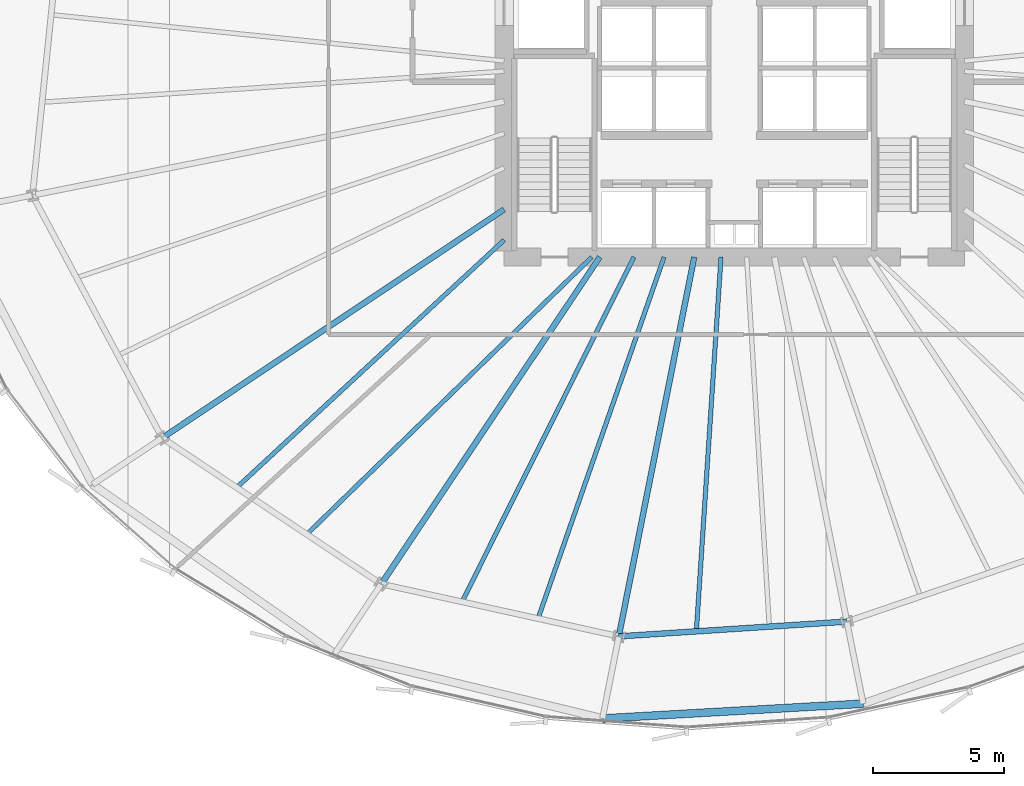
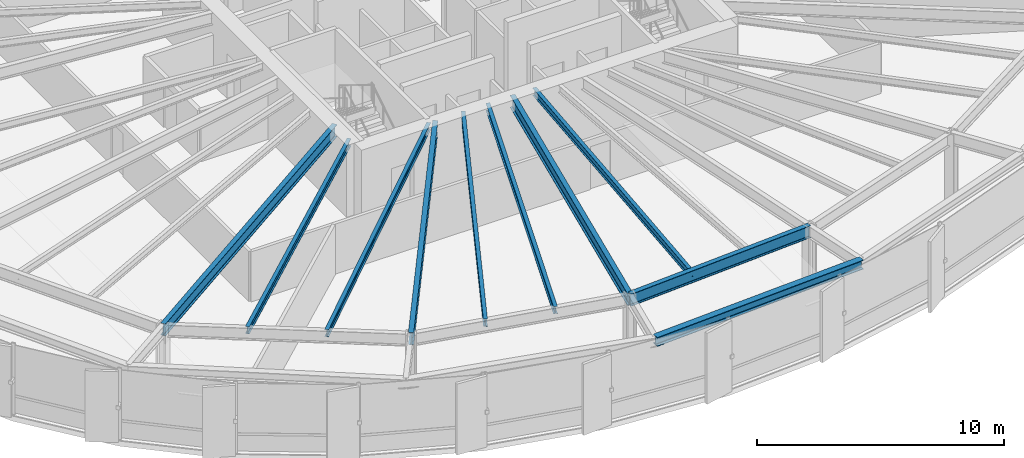
# One storey, part 6 of 38: 10 beams.
"""IFC4 building model written with IfcOpenShell, lengths in metres."""

from ifc_helpers import new_model, si_unit, direction, frame, origin, origin_2d, place, context, subcontext, project, spatial, i_section, extrude, source, transform, mapped, material, material_profile, profile_set, type_object, element, save


model = new_model("IFC4")

# Units and contexts
model_context = context("Model", 3, precision=1e-05, world=origin(), true_north=direction((0.0, 1.0)))
body_context = subcontext(model_context, "Body", "Model", "MODEL_VIEW")
ifc_project = project(units=[si_unit("LENGTHUNIT", "METRE"), si_unit("AREAUNIT", "SQUARE_METRE"), si_unit("VOLUMEUNIT", "CUBIC_METRE"), si_unit("PLANEANGLEUNIT", "RADIAN"), si_unit("MASSUNIT", "GRAM", prefix="KILO"), si_unit("THERMODYNAMICTEMPERATUREUNIT", "KELVIN")], contexts=[model_context])

# Site, building, storey
site_placement = place(None, origin())
site = spatial("IfcSite", under=ifc_project, at=site_placement, CompositionType="ELEMENT")
building_placement = place(site_placement, origin())
building = spatial("IfcBuilding", under=site, at=building_placement, Name="Kethvar Cultural Tower", CompositionType="ELEMENT")
storey_placement = place(building_placement, frame((0.0, 0.0, 63.800048828125)))
storey = spatial("IfcBuildingStorey", under=building, at=storey_placement, Name="L15", CompositionType="ELEMENT", Elevation=63.800048828125)

# Beams
ifc_material = material(Name="Steel S355J2", Category="steel")
ifc_material_profile_1 = material_profile(ifc_material, i_section(OverallWidth=0.219970703125, OverallDepth=0.60009765625, WebThickness=0.011962890625, FlangeThickness=0.01904296875, FilletRadius=0.02392578125, at=origin_2d()), Name="Steel S355J2 — IPE600")
ifc_profile_set_1 = profile_set([ifc_material_profile_1], Name="Steel S355J2 — IPE600")
beam_type_1 = type_object("IfcBeamType", Name="BM-IPE600", PredefinedType="BEAM", material=ifc_profile_set_1)
shared_shape_1 = source(origin(), body_context, "Body", "SweptSolid", [
    extrude(i_section(OverallWidth=0.219970703125, OverallDepth=0.60009765625, WebThickness=0.011962890625, FlangeThickness=0.01904296875, FilletRadius=0.02392578125, at=origin_2d()), origin(), (0.0, 0.0, 1.0), 15.725341796875),
])
beam_1_placement = place(storey_placement, frame((38.0, 21.919921875, 3.248046875), z_axis=(-0.831469433959, -0.555570499929, 0.0), x_axis=(0.555570499929, -0.831469433959, 0.0)))
element("IfcBeam", 1, at=beam_1_placement, inside=storey, type_object=beam_type_1, Name="L15 Primary Radial Beam RB-10", PredefinedType="BEAM", context=body_context, shape_type="MappedRepresentation", body=[
    mapped(shared_shape_1, transform((0.0, 0.0, 0.0), scale=1.0)),
])
shared_shape_2 = source(origin(), body_context, "Body", "SweptSolid", [
    extrude(i_section(OverallWidth=0.219970703125, OverallDepth=0.60009765625, WebThickness=0.011962890625, FlangeThickness=0.01904296875, FilletRadius=0.02392578125, at=origin_2d()), origin(), (0.0, 0.0, 1.0), 15.03515625),
])
beam_2_placement = place(storey_placement, frame((41.655029296875, 20.10009765625, 3.248046875), z_axis=(-0.555569254616, -0.83147026605, 0.0), x_axis=(0.83147026605, -0.555569254616, 0.0)))
element("IfcBeam", 2, at=beam_2_placement, inside=storey, type_object=beam_type_1, Name="L15 Primary Radial Beam RB-11", PredefinedType="BEAM", context=body_context, shape_type="MappedRepresentation", body=[
    mapped(shared_shape_2, transform((0.0, 0.0, 0.0), scale=1.0)),
])
shared_shape_3 = source(origin(), body_context, "Body", "SweptSolid", [
    extrude(i_section(OverallWidth=0.219970703125, OverallDepth=0.60009765625, WebThickness=0.011962890625, FlangeThickness=0.01904296875, FilletRadius=0.02392578125, at=origin_2d()), origin(), (0.0, 0.0, 1.0), 14.7880859375),
])
beam_3_placement = place(storey_placement, frame((45.268310546875, 20.10009765625, 3.248046875), z_axis=(-0.1950905456, -0.98078523593, 0.0), x_axis=(0.98078523593, -0.1950905456, 0.0)))
element("IfcBeam", 3, at=beam_3_placement, inside=storey, type_object=beam_type_1, Name="L15 Primary Radial Beam RB-12", PredefinedType="BEAM", context=body_context, shape_type="MappedRepresentation", body=[
    mapped(shared_shape_3, transform((0.0, 0.0, 0.0), scale=1.0)),
])
ifc_material_profile_2 = material_profile(ifc_material, i_section(OverallWidth=0.169921875, OverallDepth=0.360107421875, WebThickness=0.008056640625, FlangeThickness=0.0126953125, FilletRadius=0.01806640625, at=origin_2d()), Name="Steel S355J2 — IPE360")
ifc_profile_set_2 = profile_set([ifc_material_profile_2], Name="Steel S355J2 — IPE360")
beam_type_2 = type_object("IfcBeamType", Name="BM-J360", PredefinedType="JOIST", material=ifc_profile_set_2)
shared_shape_4 = source(origin(), body_context, "Body", "SweptSolid", [
    extrude(i_section(OverallWidth=0.169921875, OverallDepth=0.360107421875, WebThickness=0.008056640625, FlangeThickness=0.0126953125, FilletRadius=0.01806640625, at=origin_2d()), origin(), (0.0, 0.0, 1.0), 13.93505859375),
])
beam_4_placement = place(storey_placement, frame((38.0, 20.75, 3.367919921875), z_axis=(-0.733909459287, -0.679247308106, 0.0), x_axis=(0.679247308106, -0.733909459287, 0.0)))
element("IfcBeam", 4, at=beam_4_placement, inside=storey, type_object=beam_type_2, Name="L15 Composite Floor Joist J-10A", PredefinedType="JOIST", context=body_context, shape_type="MappedRepresentation", body=[
    mapped(shared_shape_4, transform((0.0, 0.0, 0.0), scale=1.0)),
])
shared_shape_5 = source(origin(), body_context, "Body", "SweptSolid", [
    extrude(i_section(OverallWidth=0.169921875, OverallDepth=0.360107421875, WebThickness=0.008056640625, FlangeThickness=0.0126953125, FilletRadius=0.01806640625, at=origin_2d()), origin(), (0.0, 0.0, 1.0), 15.20361328125),
])
beam_5_placement = place(storey_placement, frame((41.35009765625, 20.10009765625, 3.367919921875), z_axis=(-0.716707709325, -0.697373687053, 0.0), x_axis=(0.697373687053, -0.716707709325, 0.0)))
element("IfcBeam", 5, at=beam_5_placement, inside=storey, type_object=beam_type_2, Name="L15 Composite Floor Joist J-10B", PredefinedType="JOIST", context=body_context, shape_type="MappedRepresentation", body=[
    mapped(shared_shape_5, transform((0.0, 0.0, 0.0), scale=1.0)),
])
shared_shape_6 = source(origin(), body_context, "Body", "SweptSolid", [
    extrude(i_section(OverallWidth=0.169921875, OverallDepth=0.360107421875, WebThickness=0.008056640625, FlangeThickness=0.0126953125, FilletRadius=0.01806640625, at=origin_2d()), origin(), (0.0, 0.0, 1.0), 14.729248046875),
])
beam_6_placement = place(storey_placement, frame((42.961181640625, 20.10009765625, 3.367919921875), z_axis=(-0.446152473361, -0.894956965733, 0.0), x_axis=(0.894956965733, -0.446152473361, 0.0)))
element("IfcBeam", 6, at=beam_6_placement, inside=storey, type_object=beam_type_2, Name="L15 Composite Floor Joist J-11A", PredefinedType="JOIST", context=body_context, shape_type="MappedRepresentation", body=[
    mapped(shared_shape_6, transform((0.0, 0.0, 0.0), scale=1.0)),
])
shared_shape_7 = source(origin(), body_context, "Body", "SweptSolid", [
    extrude(i_section(OverallWidth=0.169921875, OverallDepth=0.360107421875, WebThickness=0.008056640625, FlangeThickness=0.0126953125, FilletRadius=0.01806640625, at=origin_2d()), origin(), (0.0, 0.0, 1.0), 14.63916015625),
])
beam_7_placement = place(storey_placement, frame((44.115234375, 20.10009765625, 3.367919921875), z_axis=(-0.329226238223, -0.94425107046, 0.0), x_axis=(0.94425107046, -0.329226238223, 0.0)))
element("IfcBeam", 7, at=beam_7_placement, inside=storey, type_object=beam_type_2, Name="L15 Composite Floor Joist J-11B", PredefinedType="JOIST", context=body_context, shape_type="MappedRepresentation", body=[
    mapped(shared_shape_7, transform((0.0, 0.0, 0.0), scale=1.0)),
])
shared_shape_8 = source(origin(), body_context, "Body", "SweptSolid", [
    extrude(i_section(OverallWidth=0.219970703125, OverallDepth=0.60009765625, WebThickness=0.011962890625, FlangeThickness=0.01904296875, FilletRadius=0.02392578125, at=origin_2d()), origin(), (0.0, 0.0, 1.0), 8.739013671875),
])
beam_8_placement = place(storey_placement, frame((42.38330078125, 5.59619140625, 3.248046875), z_axis=(0.997897424084, 0.064813046581, 0.0), x_axis=(-0.064813046581, 0.997897424084, 0.0)))
element("IfcBeam", 8, at=beam_8_placement, inside=storey, type_object=beam_type_1, Name="L15 Column Ring Tie Beam CR-12", PredefinedType="BEAM", context=body_context, shape_type="MappedRepresentation", body=[
    mapped(shared_shape_8, transform((0.0, 0.0, 0.0), scale=1.0)),
])
ifc_material_profile_3 = material_profile(ifc_material, i_section(OverallWidth=0.300048828125, OverallDepth=0.449951171875, WebThickness=0.013916015625, FlangeThickness=0.02587890625, FilletRadius=0.027099609375, at=origin_2d()), Name="Steel S355J2 — HEB450")
ifc_profile_set_3 = profile_set([ifc_material_profile_3], Name="Steel S355J2 — HEB450")
beam_type_3 = type_object("IfcBeamType", Name="BM-SP450", PredefinedType="SPANDREL", material=ifc_profile_set_3)
shared_shape_9 = source(origin(), body_context, "Body", "SweptSolid", [
    extrude(i_section(OverallWidth=0.300048828125, OverallDepth=0.449951171875, WebThickness=0.013916015625, FlangeThickness=0.02587890625, FilletRadius=0.027099609375, at=origin_2d()), origin(), (0.0, 0.0, 1.0), 9.9853515625),
])
beam_9_placement = place(storey_placement, frame((41.759033203125, 2.45751953125, 3.322998046875), z_axis=(0.998388517249, 0.056748291829, 0.0), x_axis=(-0.056748291829, 0.998388517249, 0.0)))
element("IfcBeam", 9, at=beam_9_placement, inside=storey, type_object=beam_type_3, Name="L15 Perimeter Spandrel Beam SP-12", PredefinedType="SPANDREL", context=body_context, shape_type="MappedRepresentation", body=[
    mapped(shared_shape_9, transform((0.0, 0.0, 0.0), scale=1.0)),
])
shared_shape_10 = source(origin(), body_context, "Body", "SweptSolid", [
    extrude(i_section(OverallWidth=0.169921875, OverallDepth=0.360107421875, WebThickness=0.008056640625, FlangeThickness=0.0126953125, FilletRadius=0.01806640625, at=origin_2d()), origin(), (0.0, 0.0, 1.0), 14.34228515625),
])
beam_10_placement = place(storey_placement, frame((46.292236328125, 20.10009765625, 3.367919921875), z_axis=(-0.065808348808, -0.997832281111, 0.0), x_axis=(0.997832281111, -0.065808348808, 0.0)))
element("IfcBeam", 10, at=beam_10_placement, inside=storey, type_object=beam_type_2, Name="L15 Composite Floor Joist J-12A", PredefinedType="JOIST", context=body_context, shape_type="MappedRepresentation", body=[
    mapped(shared_shape_10, transform((0.0, 0.0, 0.0), scale=1.0)),
])

save(model, "model.ifc")
